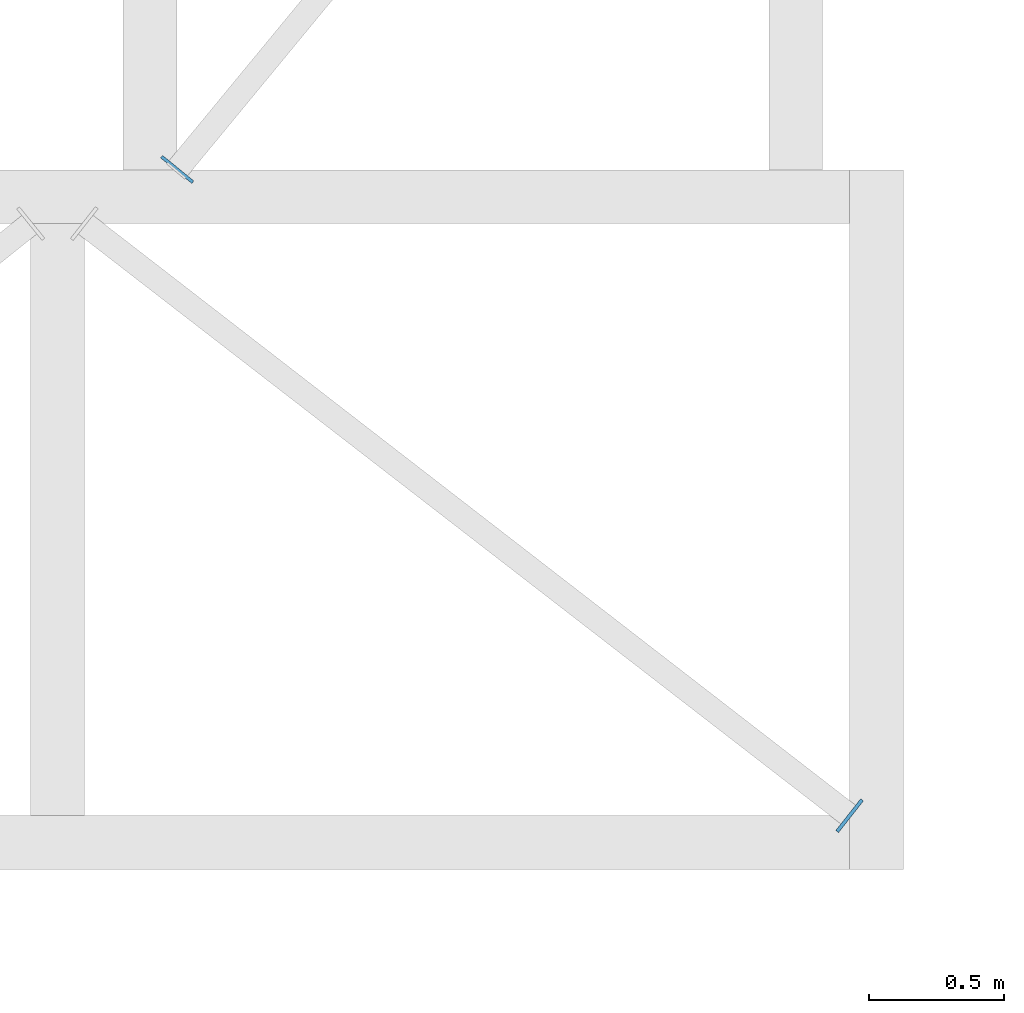
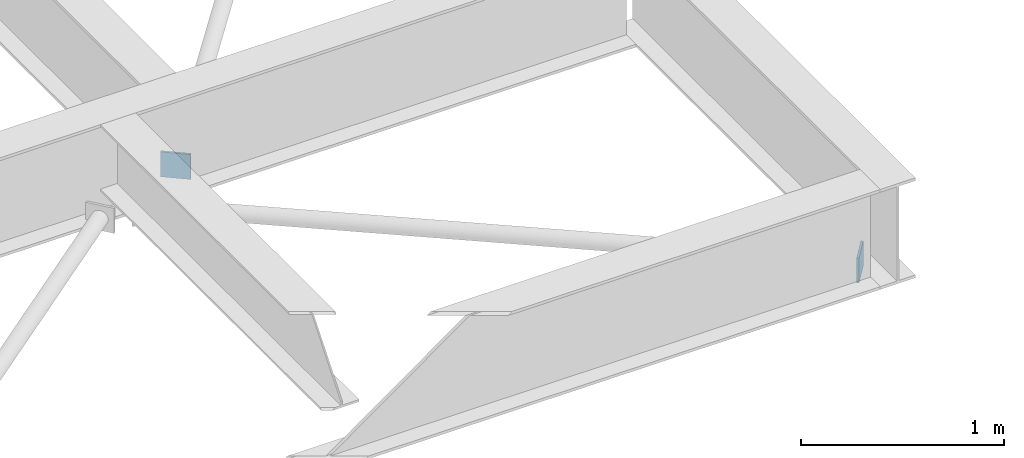
# One storey, part 87 of 103: 2 discrete accessories.
"""IFC4 building model written with IfcOpenShell, lengths in metres."""

from ifc_helpers import new_model, si_unit, direction, frame, origin, origin_2d, place, context, subcontext, project, spatial, rectangle, extrude, material, material_profile, profile_set, type_object, element, save


model = new_model("IFC4")

# Units and contexts
model_context = context("Model", 3, precision=1e-05, world=origin(), true_north=direction((0.0, 1.0)))
body_context = subcontext(model_context, "Body", "Model", "MODEL_VIEW")
ifc_project = project(units=[si_unit("LENGTHUNIT", "METRE"), si_unit("AREAUNIT", "SQUARE_METRE"), si_unit("VOLUMEUNIT", "CUBIC_METRE"), si_unit("PLANEANGLEUNIT", "RADIAN"), si_unit("MASSUNIT", "GRAM", prefix="KILO")], contexts=[model_context])

# Site, building, storey
site_placement = place(None, origin())
site = spatial("IfcSite", under=ifc_project, at=site_placement, CompositionType="ELEMENT")
building_placement = place(site_placement, origin())
building = spatial("IfcBuilding", under=site, at=building_placement, Name="Laocheng Heights Fire and Rescue Headquarters", CompositionType="ELEMENT")
storey_placement = place(building_placement, frame((0.0, 0.0, 4.199951171875)))
storey = spatial("IfcBuildingStorey", under=building, at=storey_placement, Name="L01", CompositionType="ELEMENT", Elevation=4.199951171875)

# Discrete accessories
ifc_material_1 = material(Name="Steel Q355B, dark grey painted", Category="steel")
ifc_material_profile_1 = material_profile(ifc_material_1, rectangle(XDim=0.14990234375, YDim=0.14990234375, at=origin_2d()), Name="GUSSET PLATE 150 x 150 x 12 FOR STEEL BRIDGE PLAN BRACE CHS 88.9x5")
ifc_profile_set_1 = profile_set([ifc_material_profile_1], Name="Steel Q355B, dark grey painted")
discrete_accessory_type_1 = type_object("IfcDiscreteAccessoryType", Name="GUSSET PLATE 150 x 150 x 12 FOR STEEL BRIDGE PLAN BRACE CHS 88.9x5", PredefinedType="BRACKET", material=ifc_profile_set_1)
discrete_accessory_1_placement = place(storey_placement, frame((93.097412109375, 24.697021484375, 3.4443359375), z_axis=(0.632126727472, 0.774865020772, 0.0), x_axis=(-0.774865020772, 0.632126727472, 0.0)))
element("IfcDiscreteAccessory", 1, at=discrete_accessory_1_placement, inside=storey, type_object=discrete_accessory_type_1, Name="End plate at M2-Q end 1", PredefinedType="BRACKET", context=body_context, shape_type="SweptSolid", body=[
    extrude(rectangle(XDim=0.14990234375, YDim=0.14990234375, at=origin_2d()), origin(), (0.0, 0.0, 1.0), 0.011962890625),
])
ifc_material_2 = material(Name="Steel Q355B, dark grey painted", Category="steel")
ifc_material_profile_2 = material_profile(ifc_material_2, rectangle(XDim=0.14990234375, YDim=0.14990234375, at=origin_2d()), Name="GUSSET PLATE 150 x 150 x 13 FOR STEEL BRIDGE PLAN BRACE CHS 88.9x5")
ifc_profile_set_2 = profile_set([ifc_material_profile_2], Name="Steel Q355B, dark grey painted")
discrete_accessory_type_2 = type_object("IfcDiscreteAccessoryType", Name="GUSSET PLATE 150 x 150 x 13 FOR STEEL BRIDGE PLAN BRACE CHS 88.9x5", PredefinedType="BRACKET", material=ifc_profile_set_2)
discrete_accessory_2_placement = place(storey_placement, frame((95.59521484375, 22.3037109375, 3.4443359375), z_axis=(0.786318338822, -0.617821551932, 0.0), x_axis=(0.617821551932, 0.786318338822, 0.0)))
element("IfcDiscreteAccessory", 2, at=discrete_accessory_2_placement, inside=storey, type_object=discrete_accessory_type_2, Name="End plate at M2-Q end 2", PredefinedType="BRACKET", context=body_context, shape_type="SweptSolid", body=[
    extrude(rectangle(XDim=0.14990234375, YDim=0.14990234375, at=origin_2d()), origin(), (0.0, 0.0, 1.0), 0.012939453125),
])

save(model, "model.ifc")
